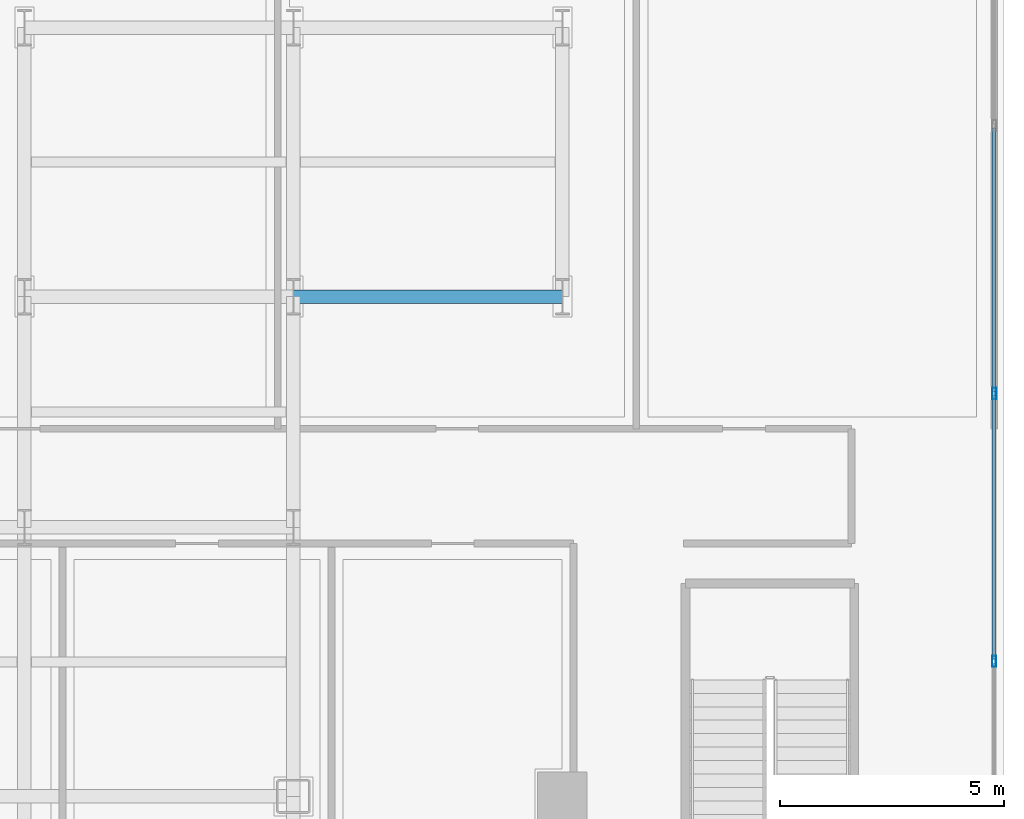
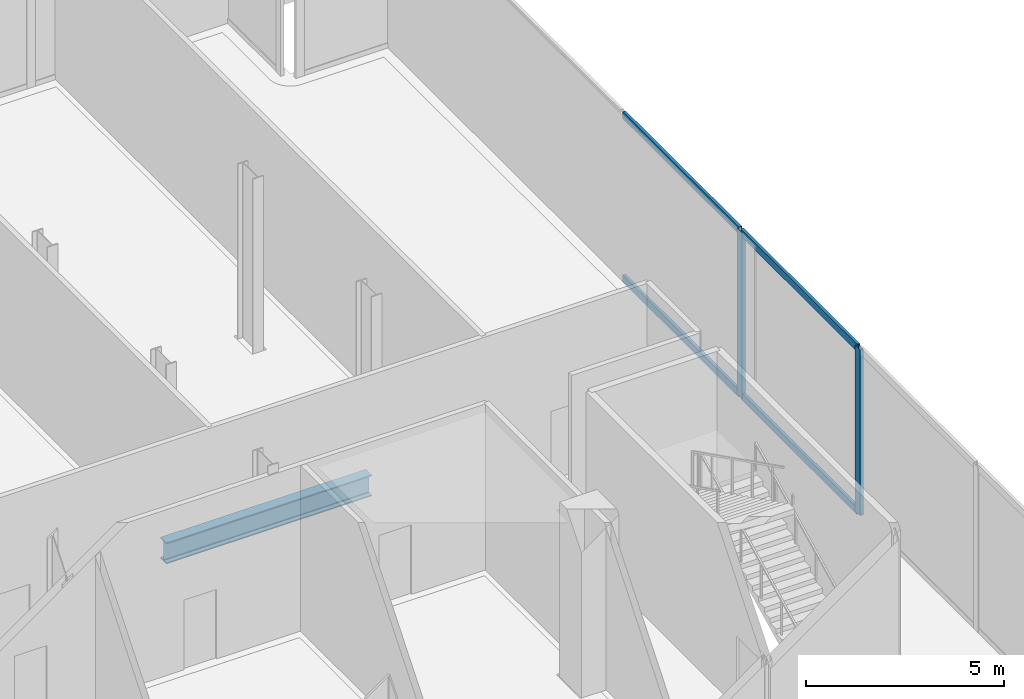
# One storey, part 12 of 27: 6 members, 1 beam, 1 element without a shape of its own.
"""IFC4 building model written with IfcOpenShell, lengths in metres."""

from ifc_helpers import new_model, si_unit, direction, frame, origin, origin_2d, place, context, subcontext, project, spatial, hollow_rectangle, i_section, extrude, material, layer, layer_set, material_profile, profile_set, type_object, element, aggregate, save


model = new_model("IFC4")

# Units and contexts
model_context = context("Model", 3, precision=1e-05, world=origin(), true_north=direction((0.0, 1.0)))
body_context = subcontext(model_context, "Body", "Model", "MODEL_VIEW")
ifc_project = project(units=[si_unit("LENGTHUNIT", "METRE"), si_unit("AREAUNIT", "SQUARE_METRE"), si_unit("VOLUMEUNIT", "CUBIC_METRE"), si_unit("PLANEANGLEUNIT", "RADIAN"), si_unit("MASSUNIT", "GRAM", prefix="KILO"), si_unit("THERMODYNAMICTEMPERATUREUNIT", "KELVIN"), si_unit("POWERUNIT", "WATT")], contexts=[model_context])

# Site, building, storey
site_placement = place(None, origin())
site = spatial("IfcSite", under=ifc_project, at=site_placement, CompositionType="ELEMENT")
building_placement = place(site_placement, origin())
building = spatial("IfcBuilding", under=site, at=building_placement, Name="Svarakhadi Broadcast Tower", CompositionType="ELEMENT")
storey_placement = place(building_placement, frame((0.0, 0.0, 16.5)))
storey = spatial("IfcBuildingStorey", under=building, at=storey_placement, Name="L03", CompositionType="ELEMENT", Elevation=16.5)

# Curtain wall, members
ifc_material_1 = material(Name="Anodised Bronze Aluminium AA 6063-T6", Category="aluminium")
ifc_layer = layer(ifc_material_1, 0.25)
ifc_layer_set = layer_set([ifc_layer], Name="Anodised Bronze Aluminium AA 6063-T6")
curtain_wall_type = type_object("IfcCurtainWallType", Name="CW_Sys_01", PredefinedType="NOTDEFINED", material=ifc_layer_set)
curtain_wall_placement = place(storey_placement, origin())
curtain_wall = element("IfcCurtainWall", 1, at=curtain_wall_placement, inside=storey, type_object=curtain_wall_type, Name="L03 Unitised Facade Curtain Wall 08", PredefinedType="NOTDEFINED")
ifc_material_profile_1 = material_profile(ifc_material_1, hollow_rectangle(XDim=0.094970703125, YDim=0.25, WallThickness=0.006103515625, at=origin_2d()), Name="ALU MULLION 250x95x6")
ifc_profile_set_1 = profile_set([ifc_material_profile_1], Name="Anodised Bronze Aluminium AA 6063-T6")
member_type_1 = type_object("IfcMemberType", Name="CW_Sys_01_Mul", PredefinedType="MULLION", material=ifc_profile_set_1)
member_1_placement = place(storey_placement, frame((62.780029296875, 26.987060546875, 0.0), z_axis=(0.0, 0.0, 1.0), x_axis=(1.0, 0.0, 0.0)))
member_1 = element("IfcMember", 2, at=member_1_placement, type_object=member_type_1, Name="CW-01 mullion 4", PredefinedType="MULLION", context=body_context, shape_type="SweptSolid", body=[
    extrude(hollow_rectangle(XDim=0.094970703125, YDim=0.25, WallThickness=0.006103515625, at=origin_2d()), origin(), (0.0, 0.0, 1.0), 5.125),
])
member_2_placement = place(storey_placement, frame((62.780029296875, 21.012939453125, 0.0), z_axis=(0.0, 0.0, 1.0), x_axis=(1.0, 0.0, 0.0)))
member_2 = element("IfcMember", 3, at=member_2_placement, type_object=member_type_1, Name="CW-01 mullion 5", PredefinedType="MULLION", context=body_context, shape_type="SweptSolid", body=[
    extrude(hollow_rectangle(XDim=0.094970703125, YDim=0.25, WallThickness=0.006103515625, at=origin_2d()), origin(), (0.0, 0.0, 1.0), 5.125),
])
ifc_material_profile_2 = material_profile(ifc_material_1, hollow_rectangle(XDim=0.0849609375, YDim=0.219970703125, WallThickness=0.0048828125, at=origin_2d()), Name="ALU TRANSOM 220x85x5")
ifc_profile_set_2 = profile_set([ifc_material_profile_2], Name="Anodised Bronze Aluminium AA 6063-T6")
member_type_2 = type_object("IfcMemberType", Name="CW_Sys_01_Trn", PredefinedType="USERDEFINED", material=ifc_profile_set_2)
member_3_placement = place(storey_placement, frame((62.780029296875, 32.913818359375, 0.04248046875), z_axis=(0.0, -1.0, 0.0), x_axis=(1.0, 0.0, 0.0)))
member_3 = element("IfcMember", 4, at=member_3_placement, type_object=member_type_2, Name="CW-01 transom 3.1", ObjectType="TRANSOM", PredefinedType="USERDEFINED", context=body_context, shape_type="SweptSolid", body=[
    extrude(hollow_rectangle(XDim=0.0849609375, YDim=0.219970703125, WallThickness=0.0048828125, at=origin_2d()), origin(), (0.0, 0.0, 1.0), 5.879150390625),
])
member_4_placement = place(storey_placement, frame((62.780029296875, 32.913818359375, 5.08251953125), z_axis=(0.0, -1.0, 0.0), x_axis=(1.0, 0.0, 0.0)))
member_4 = element("IfcMember", 5, at=member_4_placement, type_object=member_type_2, Name="CW-01 transom 3.2", ObjectType="TRANSOM", PredefinedType="USERDEFINED", context=body_context, shape_type="SweptSolid", body=[
    extrude(hollow_rectangle(XDim=0.0849609375, YDim=0.219970703125, WallThickness=0.0048828125, at=origin_2d()), origin(), (0.0, 0.0, 1.0), 5.879150390625),
])
member_5_placement = place(storey_placement, frame((62.780029296875, 26.939697265625, 0.04248046875), z_axis=(0.0, -1.0, 0.0), x_axis=(1.0, 0.0, 0.0)))
member_5 = element("IfcMember", 6, at=member_5_placement, type_object=member_type_2, Name="CW-01 transom 4.1", ObjectType="TRANSOM", PredefinedType="USERDEFINED", context=body_context, shape_type="SweptSolid", body=[
    extrude(hollow_rectangle(XDim=0.0849609375, YDim=0.219970703125, WallThickness=0.0048828125, at=origin_2d()), origin(), (0.0, 0.0, 1.0), 5.87939453125),
])
member_6_placement = place(storey_placement, frame((62.780029296875, 26.939697265625, 5.08251953125), z_axis=(0.0, -1.0, 0.0), x_axis=(1.0, 0.0, 0.0)))
member_6 = element("IfcMember", 7, at=member_6_placement, type_object=member_type_2, Name="CW-01 transom 4.2", ObjectType="TRANSOM", PredefinedType="USERDEFINED", context=body_context, shape_type="SweptSolid", body=[
    extrude(hollow_rectangle(XDim=0.0849609375, YDim=0.219970703125, WallThickness=0.0048828125, at=origin_2d()), origin(), (0.0, 0.0, 1.0), 5.87939453125),
])
aggregate(curtain_wall, [member_1, member_2, member_3, member_4, member_5, member_6])

# Beam
ifc_material_2 = material(Name="Steel S355J2 (IS 2062 E350C)", Category="steel")
ifc_material_profile_3 = material_profile(ifc_material_2, i_section(OverallWidth=0.300048828125, OverallDepth=0.64990234375, WebThickness=0.01611328125, FlangeThickness=0.031005859375, FilletRadius=0.027099609375, at=origin_2d()), Name="WPB 650x300x225")
ifc_profile_set_3 = profile_set([ifc_material_profile_3], Name="Steel S355J2 (IS 2062 E350C)")
beam_type = type_object("IfcBeamType", Name="Girder_WPB650", PredefinedType="USERDEFINED", material=ifc_profile_set_3)
beam_placement = place(storey_placement, frame((47.14990234375, 29.14990234375, -0.625), z_axis=(1.0, 0.0, 0.0), x_axis=(0.0, 1.0, 0.0)))
element("IfcBeam", 8, at=beam_placement, inside=storey, type_object=beam_type, Name="L03 Primary E-W Girder G036", ObjectType="GIRDER", PredefinedType="USERDEFINED", context=body_context, shape_type="SweptSolid", body=[
    extrude(i_section(OverallWidth=0.300048828125, OverallDepth=0.64990234375, WebThickness=0.01611328125, FlangeThickness=0.031005859375, FilletRadius=0.027099609375, at=origin_2d()), origin(), (0.0, 0.0, 1.0), 6.0),
])

save(model, "model.ifc")
